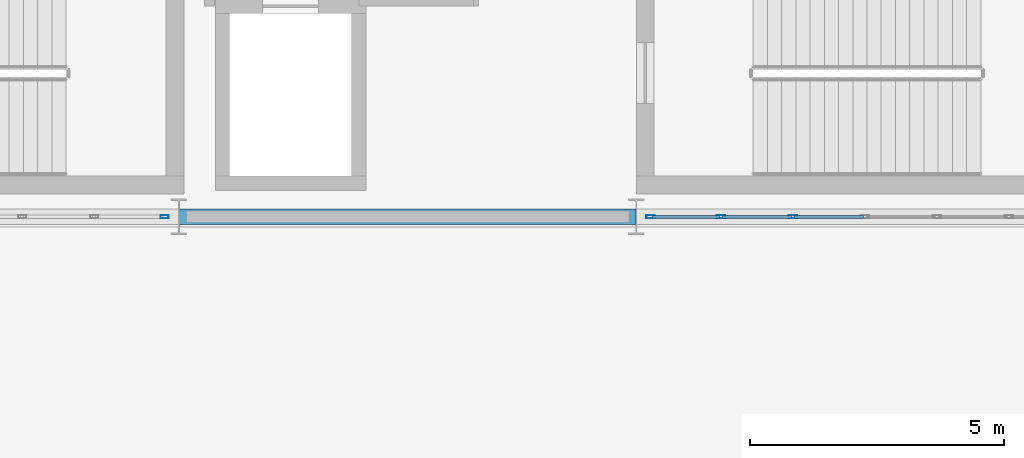
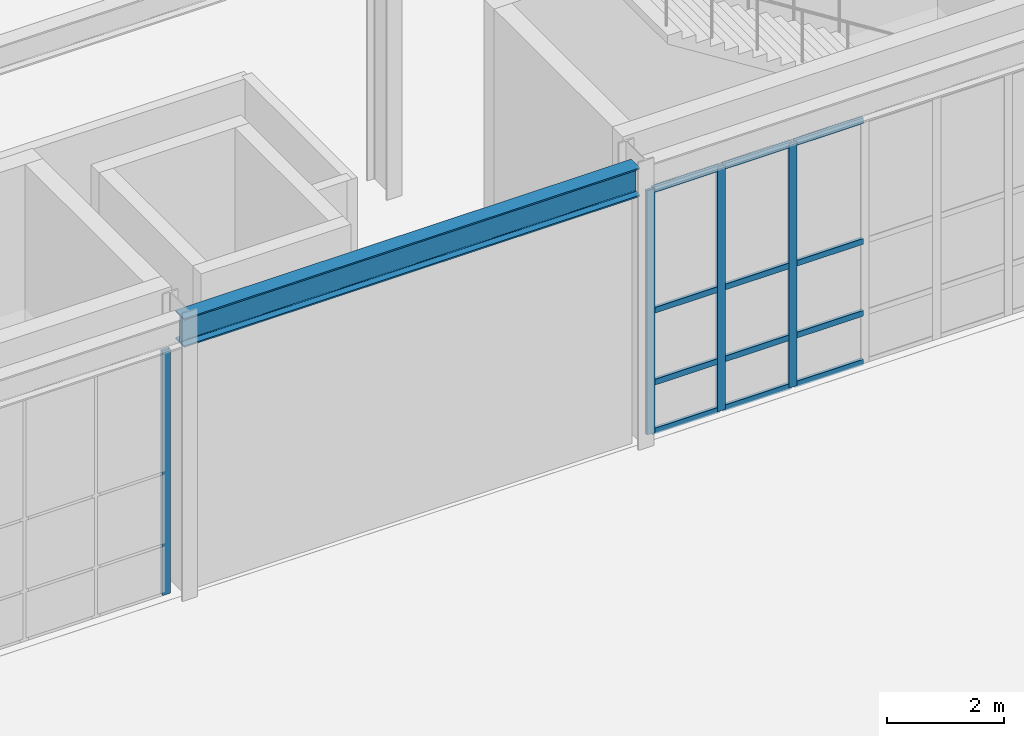
# One storey, part 60 of 146: 16 members, 1 beam, 2 elements without a shape of their own.
"""IFC4 building model written with IfcOpenShell, lengths in metres."""

from ifc_helpers import new_model, si_unit, direction, frame, origin, origin_2d, place, context, subcontext, project, spatial, hollow_rectangle, i_section, extrude, material, material_profile, profile_set, type_object, element, aggregate, save


model = new_model("IFC4")

# Units and contexts
model_context = context("Model", 3, precision=1e-05, world=origin(), true_north=direction((0.0, 1.0)))
body_context = subcontext(model_context, "Body", "Model", "MODEL_VIEW")
ifc_project = project(units=[si_unit("LENGTHUNIT", "METRE"), si_unit("AREAUNIT", "SQUARE_METRE"), si_unit("VOLUMEUNIT", "CUBIC_METRE"), si_unit("PLANEANGLEUNIT", "RADIAN"), si_unit("MASSUNIT", "GRAM", prefix="KILO")], contexts=[model_context])

# Site, building, storey
site_placement = place(None, origin())
site = spatial("IfcSite", under=ifc_project, at=site_placement, CompositionType="ELEMENT")
building_placement = place(site_placement, origin())
building = spatial("IfcBuilding", under=site, at=building_placement, Name="Kaldris Quays Convention Centre", CompositionType="ELEMENT")
storey_placement = place(building_placement, origin())
storey = spatial("IfcBuildingStorey", under=building, at=storey_placement, Name="L00", CompositionType="ELEMENT", Elevation=0.0)

# Curtain wall, member
ifc_material_1 = material(Name="Anodized aluminium AW-6060 and triple glazing", Category="aluminium")
curtain_wall_type = type_object("IfcCurtainWallType", Name="UNITISED CURTAIN WALL CW04", PredefinedType="NOTDEFINED", material=ifc_material_1)
curtain_wall_1_placement = place(storey_placement, origin())
curtain_wall_1 = element("IfcCurtainWall", 1, at=curtain_wall_1_placement, inside=storey, type_object=curtain_wall_type, Name="L00 Unitised Curtain Wall CW04 104", PredefinedType="NOTDEFINED")
ifc_material_2 = material(Name="Anodized aluminium AW-6060", Category="aluminium")
ifc_material_profile_1 = material_profile(ifc_material_2, hollow_rectangle(XDim=0.06005859375, YDim=0.159912109375, WallThickness=0.00390625, at=origin_2d()), Name="RHS 160x60x4")
ifc_profile_set_1 = profile_set([ifc_material_profile_1], Name="Anodized aluminium AW-6060")
member_type_1 = type_object("IfcMemberType", Name="CURTAIN MULLION CWM1", PredefinedType="MULLION", material=ifc_profile_set_1)
member_1_placement = place(storey_placement, frame((100.719970703125, 38.0, 0.0), z_axis=(0.0, 0.0, 1.0), x_axis=(0.0, 1.0, 0.0)))
member_1 = element("IfcMember", 2, at=member_1_placement, type_object=member_type_1, Name="CW04 mullion 7", PredefinedType="MULLION", context=body_context, shape_type="SweptSolid", body=[
    extrude(hollow_rectangle(XDim=0.06005859375, YDim=0.159912109375, WallThickness=0.00390625, at=origin_2d()), origin(), (0.0, 0.0, 1.0), 5.097900390625),
])
aggregate(curtain_wall_1, [member_1])

# Curtain wall, members
curtain_wall_2_placement = place(storey_placement, origin())
curtain_wall_2 = element("IfcCurtainWall", 3, at=curtain_wall_2_placement, inside=storey, type_object=curtain_wall_type, Name="L00 Unitised Curtain Wall CW04 105", PredefinedType="NOTDEFINED")
member_2_placement = place(storey_placement, frame((110.280029296875, 38.0, 0.0), z_axis=(0.0, 0.0, 1.0), x_axis=(0.0, 1.0, 0.0)))
member_2 = element("IfcMember", 4, at=member_2_placement, type_object=member_type_1, Name="CW04 mullion 1", PredefinedType="MULLION", context=body_context, shape_type="SweptSolid", body=[
    extrude(hollow_rectangle(XDim=0.06005859375, YDim=0.159912109375, WallThickness=0.00390625, at=origin_2d()), origin(), (0.0, 0.0, 1.0), 5.097900390625),
])
member_3_placement = place(storey_placement, frame((111.666748046875, 38.0, 0.0), z_axis=(0.0, 0.0, 1.0), x_axis=(0.0, 1.0, 0.0)))
member_3 = element("IfcMember", 5, at=member_3_placement, type_object=member_type_1, Name="CW04 mullion 2", PredefinedType="MULLION", context=body_context, shape_type="SweptSolid", body=[
    extrude(hollow_rectangle(XDim=0.06005859375, YDim=0.159912109375, WallThickness=0.00390625, at=origin_2d()), origin(), (0.0, 0.0, 1.0), 5.097900390625),
])
member_4_placement = place(storey_placement, frame((113.083251953125, 38.0, 0.0), z_axis=(0.0, 0.0, 1.0), x_axis=(0.0, 1.0, 0.0)))
member_4 = element("IfcMember", 6, at=member_4_placement, type_object=member_type_1, Name="CW04 mullion 3", PredefinedType="MULLION", context=body_context, shape_type="SweptSolid", body=[
    extrude(hollow_rectangle(XDim=0.06005859375, YDim=0.159912109375, WallThickness=0.00390625, at=origin_2d()), origin(), (0.0, 0.0, 1.0), 5.097900390625),
])
ifc_material_profile_2 = material_profile(ifc_material_2, hollow_rectangle(XDim=0.06005859375, YDim=0.1201171875, WallThickness=0.00390625, at=origin_2d()), Name="RHS 120x60x4")
ifc_profile_set_2 = profile_set([ifc_material_profile_2], Name="Anodized aluminium AW-6060")
member_type_2 = type_object("IfcMemberType", Name="CURTAIN TRANSOM CWT1", PredefinedType="USERDEFINED", material=ifc_profile_set_2)
member_5_placement = place(storey_placement, frame((110.31005859375, 38.0, 0.030029296875), z_axis=(1.0, 0.0, 0.0), x_axis=(0.0, 1.0, 0.0)))
member_5 = element("IfcMember", 7, at=member_5_placement, type_object=member_type_2, Name="CW04 transom 1.1", ObjectType="TRANSOM", PredefinedType="USERDEFINED", context=body_context, shape_type="SweptSolid", body=[
    extrude(hollow_rectangle(XDim=0.06005859375, YDim=0.1201171875, WallThickness=0.00390625, at=origin_2d()), origin(), (0.0, 0.0, 1.0), 1.32666015625),
])
member_6_placement = place(storey_placement, frame((110.31005859375, 38.0, 1.050048828125), z_axis=(1.0, 0.0, 0.0), x_axis=(0.0, 1.0, 0.0)))
member_6 = element("IfcMember", 8, at=member_6_placement, type_object=member_type_2, Name="CW04 transom 1.2", ObjectType="TRANSOM", PredefinedType="USERDEFINED", context=body_context, shape_type="SweptSolid", body=[
    extrude(hollow_rectangle(XDim=0.06005859375, YDim=0.1201171875, WallThickness=0.00390625, at=origin_2d()), origin(), (0.0, 0.0, 1.0), 1.32666015625),
])
member_7_placement = place(storey_placement, frame((110.31005859375, 38.0, 2.549072265625), z_axis=(1.0, 0.0, 0.0), x_axis=(0.0, 1.0, 0.0)))
member_7 = element("IfcMember", 9, at=member_7_placement, type_object=member_type_2, Name="CW04 transom 1.3", ObjectType="TRANSOM", PredefinedType="USERDEFINED", context=body_context, shape_type="SweptSolid", body=[
    extrude(hollow_rectangle(XDim=0.06005859375, YDim=0.1201171875, WallThickness=0.00390625, at=origin_2d()), origin(), (0.0, 0.0, 1.0), 1.32666015625),
])
member_8_placement = place(storey_placement, frame((110.31005859375, 38.0, 5.068115234375), z_axis=(1.0, 0.0, 0.0), x_axis=(0.0, 1.0, 0.0)))
member_8 = element("IfcMember", 10, at=member_8_placement, type_object=member_type_2, Name="CW04 transom 1.4", ObjectType="TRANSOM", PredefinedType="USERDEFINED", context=body_context, shape_type="SweptSolid", body=[
    extrude(hollow_rectangle(XDim=0.06005859375, YDim=0.1201171875, WallThickness=0.00390625, at=origin_2d()), origin(), (0.0, 0.0, 1.0), 1.32666015625),
])
member_9_placement = place(storey_placement, frame((111.69677734375, 38.0, 0.030029296875), z_axis=(1.0, 0.0, 0.0), x_axis=(0.0, 1.0, 0.0)))
member_9 = element("IfcMember", 11, at=member_9_placement, type_object=member_type_2, Name="CW04 transom 2.1", ObjectType="TRANSOM", PredefinedType="USERDEFINED", context=body_context, shape_type="SweptSolid", body=[
    extrude(hollow_rectangle(XDim=0.06005859375, YDim=0.1201171875, WallThickness=0.00390625, at=origin_2d()), origin(), (0.0, 0.0, 1.0), 1.3564453125),
])
member_10_placement = place(storey_placement, frame((111.69677734375, 38.0, 1.050048828125), z_axis=(1.0, 0.0, 0.0), x_axis=(0.0, 1.0, 0.0)))
member_10 = element("IfcMember", 12, at=member_10_placement, type_object=member_type_2, Name="CW04 transom 2.2", ObjectType="TRANSOM", PredefinedType="USERDEFINED", context=body_context, shape_type="SweptSolid", body=[
    extrude(hollow_rectangle(XDim=0.06005859375, YDim=0.1201171875, WallThickness=0.00390625, at=origin_2d()), origin(), (0.0, 0.0, 1.0), 1.3564453125),
])
member_11_placement = place(storey_placement, frame((111.69677734375, 38.0, 2.549072265625), z_axis=(1.0, 0.0, 0.0), x_axis=(0.0, 1.0, 0.0)))
member_11 = element("IfcMember", 13, at=member_11_placement, type_object=member_type_2, Name="CW04 transom 2.3", ObjectType="TRANSOM", PredefinedType="USERDEFINED", context=body_context, shape_type="SweptSolid", body=[
    extrude(hollow_rectangle(XDim=0.06005859375, YDim=0.1201171875, WallThickness=0.00390625, at=origin_2d()), origin(), (0.0, 0.0, 1.0), 1.3564453125),
])
member_12_placement = place(storey_placement, frame((111.69677734375, 38.0, 5.068115234375), z_axis=(1.0, 0.0, 0.0), x_axis=(0.0, 1.0, 0.0)))
member_12 = element("IfcMember", 14, at=member_12_placement, type_object=member_type_2, Name="CW04 transom 2.4", ObjectType="TRANSOM", PredefinedType="USERDEFINED", context=body_context, shape_type="SweptSolid", body=[
    extrude(hollow_rectangle(XDim=0.06005859375, YDim=0.1201171875, WallThickness=0.00390625, at=origin_2d()), origin(), (0.0, 0.0, 1.0), 1.3564453125),
])
member_13_placement = place(storey_placement, frame((113.11328125, 38.0, 0.030029296875), z_axis=(1.0, 0.0, 0.0), x_axis=(0.0, 1.0, 0.0)))
member_13 = element("IfcMember", 15, at=member_13_placement, type_object=member_type_2, Name="CW04 transom 3.1", ObjectType="TRANSOM", PredefinedType="USERDEFINED", context=body_context, shape_type="SweptSolid", body=[
    extrude(hollow_rectangle(XDim=0.06005859375, YDim=0.1201171875, WallThickness=0.00390625, at=origin_2d()), origin(), (0.0, 0.0, 1.0), 1.356689453125),
])
member_14_placement = place(storey_placement, frame((113.11328125, 38.0, 1.050048828125), z_axis=(1.0, 0.0, 0.0), x_axis=(0.0, 1.0, 0.0)))
member_14 = element("IfcMember", 16, at=member_14_placement, type_object=member_type_2, Name="CW04 transom 3.2", ObjectType="TRANSOM", PredefinedType="USERDEFINED", context=body_context, shape_type="SweptSolid", body=[
    extrude(hollow_rectangle(XDim=0.06005859375, YDim=0.1201171875, WallThickness=0.00390625, at=origin_2d()), origin(), (0.0, 0.0, 1.0), 1.356689453125),
])
member_15_placement = place(storey_placement, frame((113.11328125, 38.0, 2.549072265625), z_axis=(1.0, 0.0, 0.0), x_axis=(0.0, 1.0, 0.0)))
member_15 = element("IfcMember", 17, at=member_15_placement, type_object=member_type_2, Name="CW04 transom 3.3", ObjectType="TRANSOM", PredefinedType="USERDEFINED", context=body_context, shape_type="SweptSolid", body=[
    extrude(hollow_rectangle(XDim=0.06005859375, YDim=0.1201171875, WallThickness=0.00390625, at=origin_2d()), origin(), (0.0, 0.0, 1.0), 1.356689453125),
])
member_16_placement = place(storey_placement, frame((113.11328125, 38.0, 5.068115234375), z_axis=(1.0, 0.0, 0.0), x_axis=(0.0, 1.0, 0.0)))
member_16 = element("IfcMember", 18, at=member_16_placement, type_object=member_type_2, Name="CW04 transom 3.4", ObjectType="TRANSOM", PredefinedType="USERDEFINED", context=body_context, shape_type="SweptSolid", body=[
    extrude(hollow_rectangle(XDim=0.06005859375, YDim=0.1201171875, WallThickness=0.00390625, at=origin_2d()), origin(), (0.0, 0.0, 1.0), 1.356689453125),
])
aggregate(curtain_wall_2, [member_2, member_3, member_4, member_5, member_6, member_7, member_8, member_9, member_10, member_11, member_12, member_13, member_14, member_15, member_16])

# Beam
ifc_material_3 = material(Name="Steel S355J2", Category="steel")
ifc_material_profile_3 = material_profile(ifc_material_3, i_section(OverallWidth=0.300048828125, OverallDepth=0.60009765625, WebThickness=0.015380859375, FlangeThickness=0.030029296875, FilletRadius=0.027099609375, at=origin_2d()), Name="HEB 600")
ifc_profile_set_3 = profile_set([ifc_material_profile_3], Name="Steel S355J2")
beam_type = type_object("IfcBeamType", Name="STRUCTURAL BEAM BM05", PredefinedType="BEAM", material=ifc_profile_set_3)
beam_placement = place(storey_placement, frame((101.00244140625, 38.0, 5.423095703125), z_axis=(1.0, 0.0, 0.0), x_axis=(0.0, 1.0, 0.0)))
element("IfcBeam", 19, at=beam_placement, inside=storey, type_object=beam_type, Name="L00 Girder BM05 3", PredefinedType="BEAM", context=body_context, shape_type="SweptSolid", body=[
    extrude(i_section(OverallWidth=0.300048828125, OverallDepth=0.60009765625, WebThickness=0.015380859375, FlangeThickness=0.030029296875, FilletRadius=0.027099609375, at=origin_2d()), origin(), (0.0, 0.0, 1.0), 8.9951171875),
])

save(model, "model.ifc")
